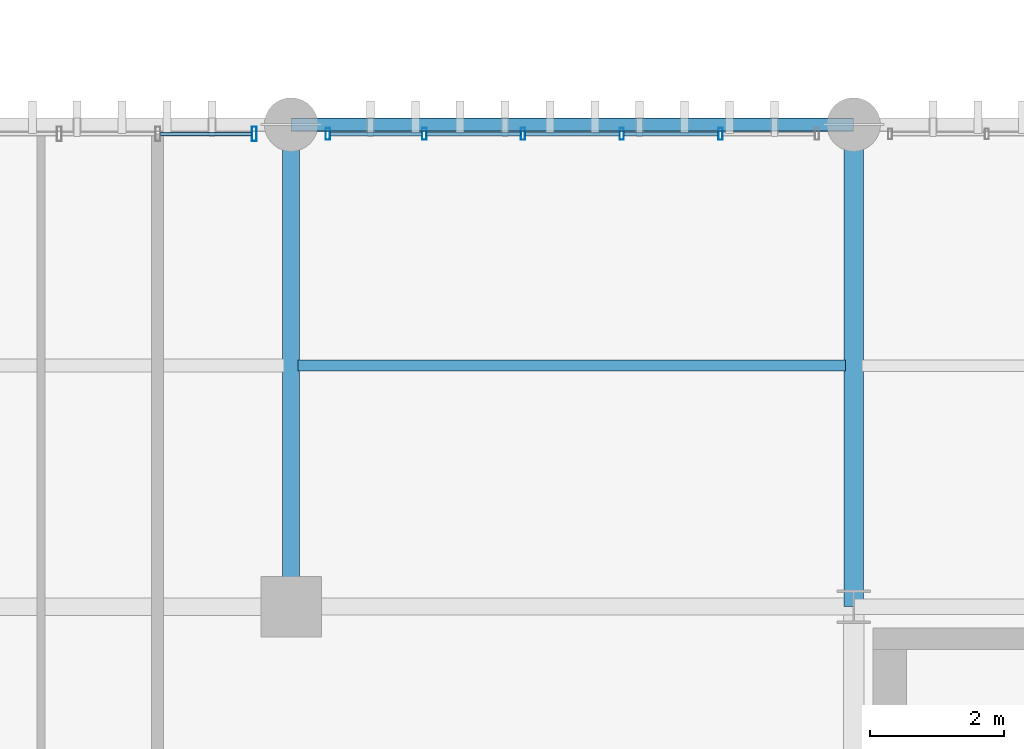
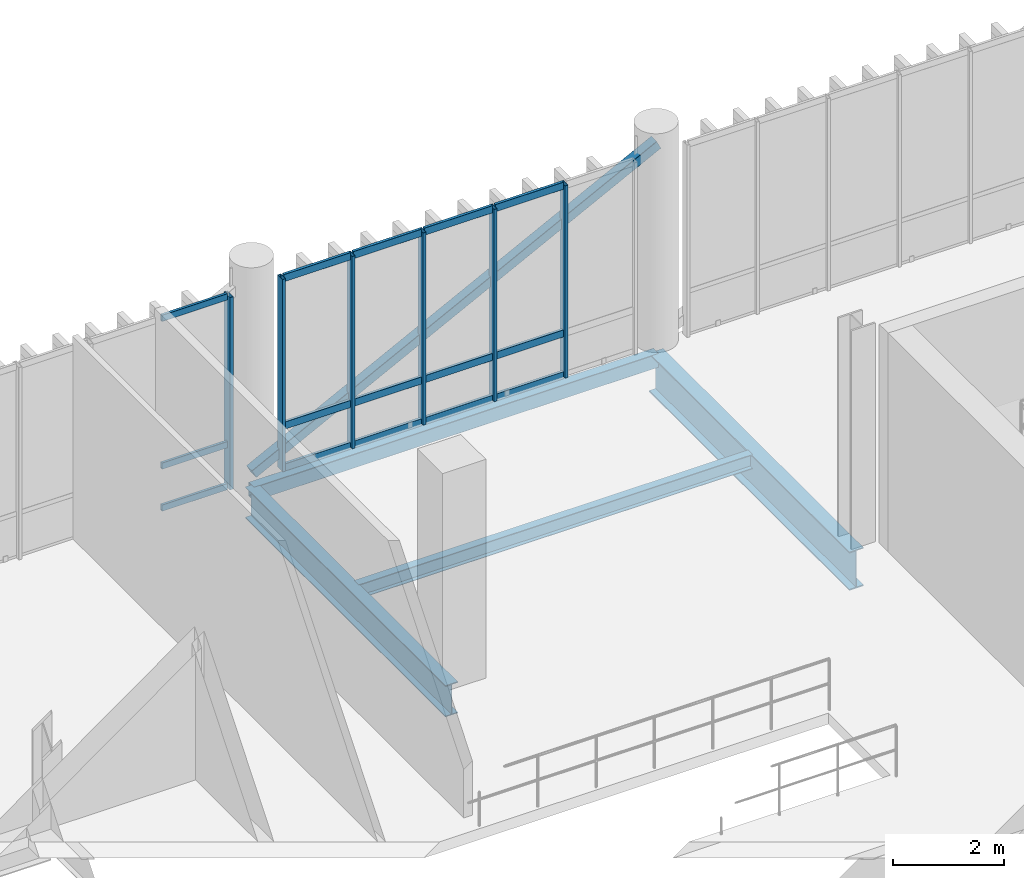
# One storey, part 56 of 109: 22 members, 4 beams, 2 elements without a shape of their own.
"""IFC4 building model written with IfcOpenShell, lengths in metres."""

from ifc_helpers import new_model, si_unit, direction, frame, origin_with_axes, origin_2d_with_axis, place, context, subcontext, project, spatial, hollow_rectangle, i_section, extrude, material, material_profile, profile_set, type_object, element, aggregate, save


model = new_model("IFC4")

# Units and contexts
model_context = context("Model", 3, precision=1e-05, world=origin_with_axes(), true_north=direction((0.0, 1.0)))
body_context = subcontext(model_context, "Body", "Model", "MODEL_VIEW")
ifc_project = project(units=[si_unit("LENGTHUNIT", "METRE"), si_unit("AREAUNIT", "SQUARE_METRE"), si_unit("VOLUMEUNIT", "CUBIC_METRE"), si_unit("PLANEANGLEUNIT", "RADIAN"), si_unit("MASSUNIT", "GRAM", prefix="KILO"), si_unit("THERMODYNAMICTEMPERATUREUNIT", "KELVIN")], contexts=[model_context])

# Site, building, storey
site_placement = place(None, origin_with_axes())
site = spatial("IfcSite", under=ifc_project, at=site_placement, CompositionType="ELEMENT")
building_placement = place(site_placement, origin_with_axes())
building = spatial("IfcBuilding", under=site, at=building_placement, Name="Montbau Bow Law Courts", CompositionType="ELEMENT")
storey_placement = place(building_placement, frame((0.0, 0.0, 10.8), z_axis=(0.0, 0.0, 1.0), x_axis=(1.0, 0.0, 0.0)))
storey = spatial("IfcBuildingStorey", under=building, at=storey_placement, Name="L02", CompositionType="ELEMENT", Elevation=10.8)

# Beams
ifc_material_1 = material(Name="Steel CSA G40.21 Grade 350W (350 MPa)", Category="steel")
ifc_material_profile_1 = material_profile(ifc_material_1, i_section(OverallWidth=0.293, OverallDepth=0.846, WebThickness=0.0154, FlangeThickness=0.0244, at=origin_2d_with_axis()), Name="W840X210", Category="Main", Priority=0)
ifc_profile_set_1 = profile_set([ifc_material_profile_1], Name="Steel CSA G40.21 Grade 350W (350 MPa)")
beam_type_1 = type_object("IfcBeamType", Name="B-FLR-02", PredefinedType="BEAM", material=ifc_profile_set_1)
beam_1_placement = place(None, frame((80.4, 54.6, 10.137), z_axis=(0.0, 1.0, 0.0), x_axis=(-1.0, 0.0, 0.0)))
element("IfcBeam", 1, at=beam_1_placement, inside=storey, type_object=beam_type_1, Name="BM-L02-S0868:bm2_0871", PredefinedType="BEAM", context=body_context, shape_type="SweptSolid", body=[
    extrude(i_section(OverallWidth=0.293, OverallDepth=0.846, WebThickness=0.0154, FlangeThickness=0.0244, at=origin_2d_with_axis()), origin_with_axes(), (0.0, 0.0, 1.0), 7.2),
])
ifc_material_profile_2 = material_profile(ifc_material_1, i_section(OverallWidth=0.254, OverallDepth=0.688, WebThickness=0.0131, FlangeThickness=0.0211, at=origin_2d_with_axis()), Name="W690X152", Category="Main", Priority=0)
ifc_profile_set_2 = profile_set([ifc_material_profile_2], Name="Steel CSA G40.21 Grade 350W (350 MPa)")
beam_type_2 = type_object("IfcBeamType", Name="B-FLR-04", PredefinedType="BEAM", material=ifc_profile_set_2)
beam_2_placement = place(None, frame((72.0, 54.6, 10.216), z_axis=(0.0, 1.0, 0.0), x_axis=(-1.0, 0.0, 0.0)))
element("IfcBeam", 2, at=beam_2_placement, inside=storey, type_object=beam_type_2, Name="BM-L02-S0865:bm2_0868", PredefinedType="BEAM", context=body_context, shape_type="SweptSolid", body=[
    extrude(i_section(OverallWidth=0.254, OverallDepth=0.688, WebThickness=0.0131, FlangeThickness=0.0211, at=origin_2d_with_axis()), origin_with_axes(), (0.0, 0.0, 1.0), 7.2),
])
ifc_material_profile_3 = material_profile(ifc_material_1, i_section(OverallWidth=0.166, OverallDepth=0.313, WebThickness=0.0066, FlangeThickness=0.0112, at=origin_2d_with_axis()), Name="W310X45", Category="Main", Priority=0)
ifc_profile_set_3 = profile_set([ifc_material_profile_3], Name="Steel CSA G40.21 Grade 350W (350 MPa)")
beam_type_3 = type_object("IfcBeamType", Name="B-JST-04", PredefinedType="JOIST", material=ifc_profile_set_3)
beam_3_placement = place(None, frame((72.103, 58.2, 10.404), z_axis=(1.0, 0.0, 0.0), x_axis=(0.0, 1.0, 0.0)))
element("IfcBeam", 3, at=beam_3_placement, inside=storey, type_object=beam_type_3, Name="JST-L02-S0447:jst2_0447", PredefinedType="JOIST", context=body_context, shape_type="SweptSolid", body=[
    extrude(i_section(OverallWidth=0.166, OverallDepth=0.313, WebThickness=0.0066, FlangeThickness=0.0112, at=origin_2d_with_axis()), origin_with_axes(), (0.0, 0.0, 1.0), 8.175),
])
ifc_material_2 = material(Name="Steel CSA G40.21 Grade 350WT (350 MPa)", Category="steel")
ifc_material_profile_4 = material_profile(ifc_material_2, hollow_rectangle(XDim=0.203, YDim=0.305, WallThickness=0.0127, InnerFilletRadius=0.0254, OuterFilletRadius=0.0127, at=origin_2d_with_axis()), Name="HSS305X203X13", Category="Main", Priority=0)
ifc_profile_set_4 = profile_set([ifc_material_profile_4], Name="Steel CSA G40.21 Grade 350WT (350 MPa)")
beam_type_4 = type_object("IfcBeamType", Name="B-SPN-02", PredefinedType="SPANDREL", material=ifc_profile_set_4)
beam_4_placement = place(None, frame((72.0, 61.8, 10.408), z_axis=(1.0, 0.0, 0.0), x_axis=(0.0, 1.0, 0.0)))
element("IfcBeam", 4, at=beam_4_placement, inside=storey, type_object=beam_type_4, Name="SPN-L02-S0854:bm2_0857", PredefinedType="SPANDREL", context=body_context, shape_type="SweptSolid", body=[
    extrude(hollow_rectangle(XDim=0.203, YDim=0.305, WallThickness=0.0127, InnerFilletRadius=0.0254, OuterFilletRadius=0.0127, at=origin_2d_with_axis()), origin_with_axes(), (0.0, 0.0, 1.0), 8.4),
])

# Member
ifc_material_profile_5 = material_profile(ifc_material_1, hollow_rectangle(XDim=0.203, YDim=0.203, WallThickness=0.0111, InnerFilletRadius=0.0222, OuterFilletRadius=0.0111, at=origin_2d_with_axis()), Name="HSS203X203X11", Category="Main", Priority=0)
ifc_profile_set_5 = profile_set([ifc_material_profile_5], Name="Steel CSA G40.21 Grade 350W (350 MPa)")
member_type_1 = type_object("IfcMemberType", Name="M-BRC-02", PredefinedType="BRACE", material=ifc_profile_set_5)
member_1_placement = place(None, frame((72.0, 61.8, 10.85), z_axis=(0.890706672, 0.0, 0.454578512), x_axis=(0.0, 1.0, 0.0)))
element("IfcMember", 5, at=member_1_placement, inside=storey, type_object=member_type_1, Name="Diagonal brace CBF-L02-052A", PredefinedType="BRACE", context=body_context, shape_type="SweptSolid", body=[
    extrude(hollow_rectangle(XDim=0.203, YDim=0.203, WallThickness=0.0111, InnerFilletRadius=0.0222, OuterFilletRadius=0.0111, at=origin_2d_with_axis()), origin_with_axes(), (0.0, 0.0, 1.0), 9.430714),
])

# Curtain wall, member
ifc_material_3 = material(Name="Thermally Broken Extruded Aluminium AA 6063-T6", Category="aluminium")
curtain_wall_type = type_object("IfcCurtainWallType", Name="CW-CRM-01", PredefinedType="NOTDEFINED", material=ifc_material_3)
curtain_wall_1_placement = place(None, frame((64.115, 61.66, 10.8), z_axis=(0.0, 0.0, 1.0), x_axis=(1.0, 0.0, 0.0)))
curtain_wall_1 = element("IfcCurtainWall", 6, at=curtain_wall_1_placement, inside=storey, type_object=curtain_wall_type, Name="CW-L02-165:cw_0165", PredefinedType="NOTDEFINED")
ifc_material_profile_6 = material_profile(ifc_material_3, hollow_rectangle(XDim=0.075, YDim=0.22, WallThickness=0.005, InnerFilletRadius=0.01, OuterFilletRadius=0.005, at=origin_2d_with_axis()), Name="CWM-220X75", Category="Main", Priority=0)
ifc_profile_set_6 = profile_set([ifc_material_profile_6], Name="Thermally Broken Extruded Aluminium AA 6063-T6")
member_type_2 = type_object("IfcMemberType", Name="M-MUL-01", PredefinedType="MULLION", material=ifc_profile_set_6)
member_2_placement = place(None, frame((71.448, 61.66, 10.8), z_axis=(0.0, 0.0, 1.0), x_axis=(1.0, 0.0, 0.0)))
member_2 = element("IfcMember", 7, at=member_2_placement, type_object=member_type_2, Name="CW-L02-165-M06:cw_0165_M06", PredefinedType="MULLION", context=body_context, shape_type="SweptSolid", body=[
    extrude(hollow_rectangle(XDim=0.075, YDim=0.22, WallThickness=0.005, InnerFilletRadius=0.01, OuterFilletRadius=0.005, at=origin_2d_with_axis()), origin_with_axes(), (0.0, 0.0, 1.0), 4.22),
])

# Curtain wall, members
curtain_wall_2_placement = place(None, frame((72.515, 61.66, 10.8), z_axis=(0.0, 0.0, 1.0), x_axis=(1.0, 0.0, 0.0)))
curtain_wall_2 = element("IfcCurtainWall", 8, at=curtain_wall_2_placement, inside=storey, type_object=curtain_wall_type, Name="CW-L02-166:cw_0166", PredefinedType="NOTDEFINED")
ifc_material_profile_7 = material_profile(ifc_material_3, hollow_rectangle(XDim=0.065, YDim=0.18, WallThickness=0.005, InnerFilletRadius=0.01, OuterFilletRadius=0.005, at=origin_2d_with_axis()), Name="CWM-180X65", Category="Main", Priority=0)
ifc_profile_set_7 = profile_set([ifc_material_profile_7], Name="Thermally Broken Extruded Aluminium AA 6063-T6")
member_type_3 = type_object("IfcMemberType", Name="M-MUL-02", PredefinedType="MULLION", material=ifc_profile_set_7)
member_3_placement = place(None, frame((72.548, 61.66, 10.8), z_axis=(0.0, 0.0, 1.0), x_axis=(1.0, 0.0, 0.0)))
member_3 = element("IfcMember", 9, at=member_3_placement, type_object=member_type_3, Name="CW-L02-166-M01:cw_0166_M01", PredefinedType="MULLION", context=body_context, shape_type="SweptSolid", body=[
    extrude(hollow_rectangle(XDim=0.065, YDim=0.18, WallThickness=0.005, InnerFilletRadius=0.01, OuterFilletRadius=0.005, at=origin_2d_with_axis()), origin_with_axes(), (0.0, 0.0, 1.0), 4.22),
])
member_4_placement = place(None, frame((73.989, 61.66, 10.8), z_axis=(0.0, 0.0, 1.0), x_axis=(1.0, 0.0, 0.0)))
member_4 = element("IfcMember", 10, at=member_4_placement, type_object=member_type_3, Name="CW-L02-166-M02:cw_0166_M02", PredefinedType="MULLION", context=body_context, shape_type="SweptSolid", body=[
    extrude(hollow_rectangle(XDim=0.065, YDim=0.18, WallThickness=0.005, InnerFilletRadius=0.01, OuterFilletRadius=0.005, at=origin_2d_with_axis()), origin_with_axes(), (0.0, 0.0, 1.0), 4.22),
])
member_5_placement = place(None, frame((75.463, 61.66, 10.8), z_axis=(0.0, 0.0, 1.0), x_axis=(1.0, 0.0, 0.0)))
member_5 = element("IfcMember", 11, at=member_5_placement, type_object=member_type_3, Name="CW-L02-166-M03:cw_0166_M03", PredefinedType="MULLION", context=body_context, shape_type="SweptSolid", body=[
    extrude(hollow_rectangle(XDim=0.065, YDim=0.18, WallThickness=0.005, InnerFilletRadius=0.01, OuterFilletRadius=0.005, at=origin_2d_with_axis()), origin_with_axes(), (0.0, 0.0, 1.0), 4.22),
])
member_6_placement = place(None, frame((76.937, 61.66, 10.8), z_axis=(0.0, 0.0, 1.0), x_axis=(1.0, 0.0, 0.0)))
member_6 = element("IfcMember", 12, at=member_6_placement, type_object=member_type_3, Name="CW-L02-166-M04:cw_0166_M04", PredefinedType="MULLION", context=body_context, shape_type="SweptSolid", body=[
    extrude(hollow_rectangle(XDim=0.065, YDim=0.18, WallThickness=0.005, InnerFilletRadius=0.01, OuterFilletRadius=0.005, at=origin_2d_with_axis()), origin_with_axes(), (0.0, 0.0, 1.0), 4.22),
])
member_7_placement = place(None, frame((78.411, 61.66, 10.8), z_axis=(0.0, 0.0, 1.0), x_axis=(1.0, 0.0, 0.0)))
member_7 = element("IfcMember", 13, at=member_7_placement, type_object=member_type_3, Name="CW-L02-166-M05:cw_0166_M05", PredefinedType="MULLION", context=body_context, shape_type="SweptSolid", body=[
    extrude(hollow_rectangle(XDim=0.065, YDim=0.18, WallThickness=0.005, InnerFilletRadius=0.01, OuterFilletRadius=0.005, at=origin_2d_with_axis()), origin_with_axes(), (0.0, 0.0, 1.0), 4.22),
])
ifc_material_profile_8 = material_profile(ifc_material_3, hollow_rectangle(XDim=0.06, YDim=0.16, WallThickness=0.004, InnerFilletRadius=0.008, OuterFilletRadius=0.004, at=origin_2d_with_axis()), Name="CWT-160X60", Category="Main", Priority=0)
ifc_profile_set_8 = profile_set([ifc_material_profile_8], Name="Thermally Broken Extruded Aluminium AA 6063-T6")
member_type_4 = type_object("IfcMemberType", Name="M-TRN-01", PredefinedType="USERDEFINED", material=ifc_profile_set_8)
member_8_placement = place(None, frame((72.583, 61.66, 10.83), z_axis=(1.0, 0.0, 0.0), x_axis=(0.0, 1.0, 0.0)))
member_8 = element("IfcMember", 14, at=member_8_placement, type_object=member_type_4, Name="CW-L02-166-T01-1:cw_0166_T01_1", ObjectType="TRANSOM", PredefinedType="USERDEFINED", context=body_context, shape_type="SweptSolid", body=[
    extrude(hollow_rectangle(XDim=0.06, YDim=0.16, WallThickness=0.004, InnerFilletRadius=0.008, OuterFilletRadius=0.004, at=origin_2d_with_axis()), origin_with_axes(), (0.0, 0.0, 1.0), 1.372),
])
member_9_placement = place(None, frame((72.583, 61.66, 11.75), z_axis=(1.0, 0.0, 0.0), x_axis=(0.0, 1.0, 0.0)))
member_9 = element("IfcMember", 15, at=member_9_placement, type_object=member_type_4, Name="CW-L02-166-T01-2:cw_0166_T01_2", ObjectType="TRANSOM", PredefinedType="USERDEFINED", context=body_context, shape_type="SweptSolid", body=[
    extrude(hollow_rectangle(XDim=0.06, YDim=0.16, WallThickness=0.004, InnerFilletRadius=0.008, OuterFilletRadius=0.004, at=origin_2d_with_axis()), origin_with_axes(), (0.0, 0.0, 1.0), 1.372),
])
member_10_placement = place(None, frame((72.583, 61.66, 14.99), z_axis=(1.0, 0.0, 0.0), x_axis=(0.0, 1.0, 0.0)))
member_10 = element("IfcMember", 16, at=member_10_placement, type_object=member_type_4, Name="CW-L02-166-T01-3:cw_0166_T01_3", ObjectType="TRANSOM", PredefinedType="USERDEFINED", context=body_context, shape_type="SweptSolid", body=[
    extrude(hollow_rectangle(XDim=0.06, YDim=0.16, WallThickness=0.004, InnerFilletRadius=0.008, OuterFilletRadius=0.004, at=origin_2d_with_axis()), origin_with_axes(), (0.0, 0.0, 1.0), 1.372),
])
member_11_placement = place(None, frame((74.023, 61.66, 10.83), z_axis=(1.0, 0.0, 0.0), x_axis=(0.0, 1.0, 0.0)))
member_11 = element("IfcMember", 17, at=member_11_placement, type_object=member_type_4, Name="CW-L02-166-T02-1:cw_0166_T02_1", ObjectType="TRANSOM", PredefinedType="USERDEFINED", context=body_context, shape_type="SweptSolid", body=[
    extrude(hollow_rectangle(XDim=0.06, YDim=0.16, WallThickness=0.004, InnerFilletRadius=0.008, OuterFilletRadius=0.004, at=origin_2d_with_axis()), origin_with_axes(), (0.0, 0.0, 1.0), 1.405),
])
member_12_placement = place(None, frame((74.023, 61.66, 11.75), z_axis=(1.0, 0.0, 0.0), x_axis=(0.0, 1.0, 0.0)))
member_12 = element("IfcMember", 18, at=member_12_placement, type_object=member_type_4, Name="CW-L02-166-T02-2:cw_0166_T02_2", ObjectType="TRANSOM", PredefinedType="USERDEFINED", context=body_context, shape_type="SweptSolid", body=[
    extrude(hollow_rectangle(XDim=0.06, YDim=0.16, WallThickness=0.004, InnerFilletRadius=0.008, OuterFilletRadius=0.004, at=origin_2d_with_axis()), origin_with_axes(), (0.0, 0.0, 1.0), 1.405),
])
member_13_placement = place(None, frame((74.023, 61.66, 14.99), z_axis=(1.0, 0.0, 0.0), x_axis=(0.0, 1.0, 0.0)))
member_13 = element("IfcMember", 19, at=member_13_placement, type_object=member_type_4, Name="CW-L02-166-T02-3:cw_0166_T02_3", ObjectType="TRANSOM", PredefinedType="USERDEFINED", context=body_context, shape_type="SweptSolid", body=[
    extrude(hollow_rectangle(XDim=0.06, YDim=0.16, WallThickness=0.004, InnerFilletRadius=0.008, OuterFilletRadius=0.004, at=origin_2d_with_axis()), origin_with_axes(), (0.0, 0.0, 1.0), 1.405),
])
member_14_placement = place(None, frame((75.497, 61.66, 10.83), z_axis=(1.0, 0.0, 0.0), x_axis=(0.0, 1.0, 0.0)))
member_14 = element("IfcMember", 20, at=member_14_placement, type_object=member_type_4, Name="CW-L02-166-T03-1:cw_0166_T03_1", ObjectType="TRANSOM", PredefinedType="USERDEFINED", context=body_context, shape_type="SweptSolid", body=[
    extrude(hollow_rectangle(XDim=0.06, YDim=0.16, WallThickness=0.004, InnerFilletRadius=0.008, OuterFilletRadius=0.004, at=origin_2d_with_axis()), origin_with_axes(), (0.0, 0.0, 1.0), 1.406),
])
member_15_placement = place(None, frame((75.497, 61.66, 11.75), z_axis=(1.0, 0.0, 0.0), x_axis=(0.0, 1.0, 0.0)))
member_15 = element("IfcMember", 21, at=member_15_placement, type_object=member_type_4, Name="CW-L02-166-T03-2:cw_0166_T03_2", ObjectType="TRANSOM", PredefinedType="USERDEFINED", context=body_context, shape_type="SweptSolid", body=[
    extrude(hollow_rectangle(XDim=0.06, YDim=0.16, WallThickness=0.004, InnerFilletRadius=0.008, OuterFilletRadius=0.004, at=origin_2d_with_axis()), origin_with_axes(), (0.0, 0.0, 1.0), 1.406),
])
member_16_placement = place(None, frame((75.497, 61.66, 14.99), z_axis=(1.0, 0.0, 0.0), x_axis=(0.0, 1.0, 0.0)))
member_16 = element("IfcMember", 22, at=member_16_placement, type_object=member_type_4, Name="CW-L02-166-T03-3:cw_0166_T03_3", ObjectType="TRANSOM", PredefinedType="USERDEFINED", context=body_context, shape_type="SweptSolid", body=[
    extrude(hollow_rectangle(XDim=0.06, YDim=0.16, WallThickness=0.004, InnerFilletRadius=0.008, OuterFilletRadius=0.004, at=origin_2d_with_axis()), origin_with_axes(), (0.0, 0.0, 1.0), 1.406),
])
member_17_placement = place(None, frame((76.971, 61.66, 10.83), z_axis=(1.0, 0.0, 0.0), x_axis=(0.0, 1.0, 0.0)))
member_17 = element("IfcMember", 23, at=member_17_placement, type_object=member_type_4, Name="CW-L02-166-T04-1:cw_0166_T04_1", ObjectType="TRANSOM", PredefinedType="USERDEFINED", context=body_context, shape_type="SweptSolid", body=[
    extrude(hollow_rectangle(XDim=0.06, YDim=0.16, WallThickness=0.004, InnerFilletRadius=0.008, OuterFilletRadius=0.004, at=origin_2d_with_axis()), origin_with_axes(), (0.0, 0.0, 1.0), 1.406),
])
member_18_placement = place(None, frame((76.971, 61.66, 11.75), z_axis=(1.0, 0.0, 0.0), x_axis=(0.0, 1.0, 0.0)))
member_18 = element("IfcMember", 24, at=member_18_placement, type_object=member_type_4, Name="CW-L02-166-T04-2:cw_0166_T04_2", ObjectType="TRANSOM", PredefinedType="USERDEFINED", context=body_context, shape_type="SweptSolid", body=[
    extrude(hollow_rectangle(XDim=0.06, YDim=0.16, WallThickness=0.004, InnerFilletRadius=0.008, OuterFilletRadius=0.004, at=origin_2d_with_axis()), origin_with_axes(), (0.0, 0.0, 1.0), 1.406),
])
member_19_placement = place(None, frame((76.971, 61.66, 14.99), z_axis=(1.0, 0.0, 0.0), x_axis=(0.0, 1.0, 0.0)))
member_19 = element("IfcMember", 25, at=member_19_placement, type_object=member_type_4, Name="CW-L02-166-T04-3:cw_0166_T04_3", ObjectType="TRANSOM", PredefinedType="USERDEFINED", context=body_context, shape_type="SweptSolid", body=[
    extrude(hollow_rectangle(XDim=0.06, YDim=0.16, WallThickness=0.004, InnerFilletRadius=0.008, OuterFilletRadius=0.004, at=origin_2d_with_axis()), origin_with_axes(), (0.0, 0.0, 1.0), 1.406),
])
aggregate(curtain_wall_2, [member_3, member_4, member_5, member_6, member_7, member_8, member_9, member_10, member_11, member_12, member_13, member_14, member_15, member_16, member_17, member_18, member_19])

# Member
ifc_material_profile_9 = material_profile(ifc_material_3, hollow_rectangle(XDim=0.055, YDim=0.14, WallThickness=0.004, InnerFilletRadius=0.008, OuterFilletRadius=0.004, at=origin_2d_with_axis()), Name="CWT-140X55", Category="Main", Priority=0)
ifc_profile_set_9 = profile_set([ifc_material_profile_9], Name="Thermally Broken Extruded Aluminium AA 6063-T6")
member_type_5 = type_object("IfcMemberType", Name="M-TRN-02", PredefinedType="USERDEFINED", material=ifc_profile_set_9)
member_20_placement = place(None, frame((70.05, 61.66, 10.828), z_axis=(1.0, 0.0, 0.0), x_axis=(0.0, 1.0, 0.0)))
member_20 = element("IfcMember", 26, at=member_20_placement, type_object=member_type_5, Name="CW-L02-165-T05-1:cw_0165_T05_1", ObjectType="TRANSOM", PredefinedType="USERDEFINED", context=body_context, shape_type="SweptSolid", body=[
    extrude(hollow_rectangle(XDim=0.055, YDim=0.14, WallThickness=0.004, InnerFilletRadius=0.008, OuterFilletRadius=0.004, at=origin_2d_with_axis()), origin_with_axes(), (0.0, 0.0, 1.0), 1.359),
])

member_21_placement = place(None, frame((70.05, 61.66, 11.75), z_axis=(1.0, 0.0, 0.0), x_axis=(0.0, 1.0, 0.0)))
member_21 = element("IfcMember", 27, at=member_21_placement, type_object=member_type_5, Name="CW-L02-165-T05-2:cw_0165_T05_2", ObjectType="TRANSOM", PredefinedType="USERDEFINED", context=body_context, shape_type="SweptSolid", body=[
    extrude(hollow_rectangle(XDim=0.055, YDim=0.14, WallThickness=0.004, InnerFilletRadius=0.008, OuterFilletRadius=0.004, at=origin_2d_with_axis()), origin_with_axes(), (0.0, 0.0, 1.0), 1.359),
])

member_22_placement = place(None, frame((70.05, 61.66, 14.992), z_axis=(1.0, 0.0, 0.0), x_axis=(0.0, 1.0, 0.0)))
member_22 = element("IfcMember", 28, at=member_22_placement, type_object=member_type_5, Name="CW-L02-165-T05-3:cw_0165_T05_3", ObjectType="TRANSOM", PredefinedType="USERDEFINED", context=body_context, shape_type="SweptSolid", body=[
    extrude(hollow_rectangle(XDim=0.055, YDim=0.14, WallThickness=0.004, InnerFilletRadius=0.008, OuterFilletRadius=0.004, at=origin_2d_with_axis()), origin_with_axes(), (0.0, 0.0, 1.0), 1.359),
])

aggregate(curtain_wall_1, [member_2, member_20, member_21, member_22])

save(model, "model.ifc")
